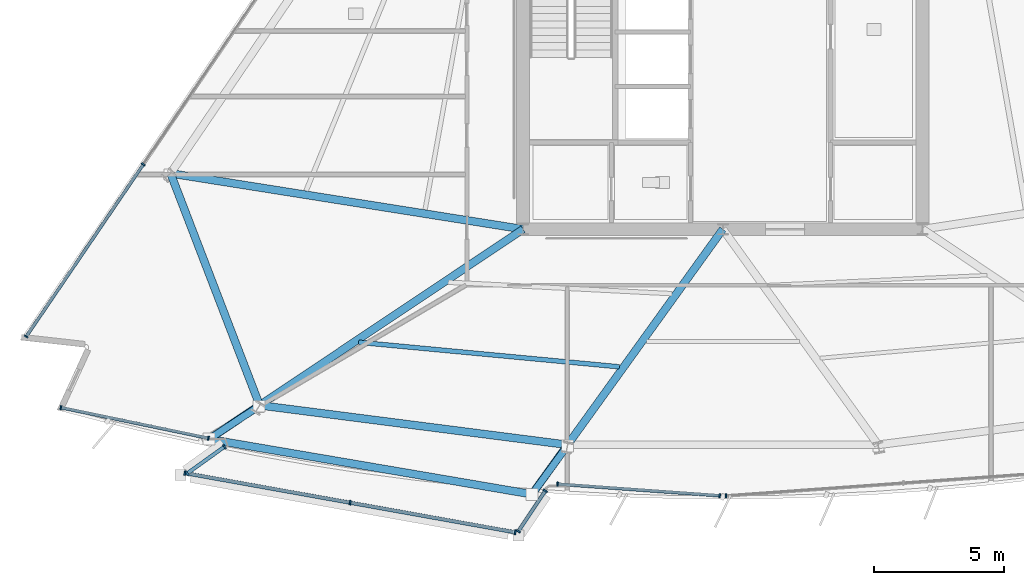
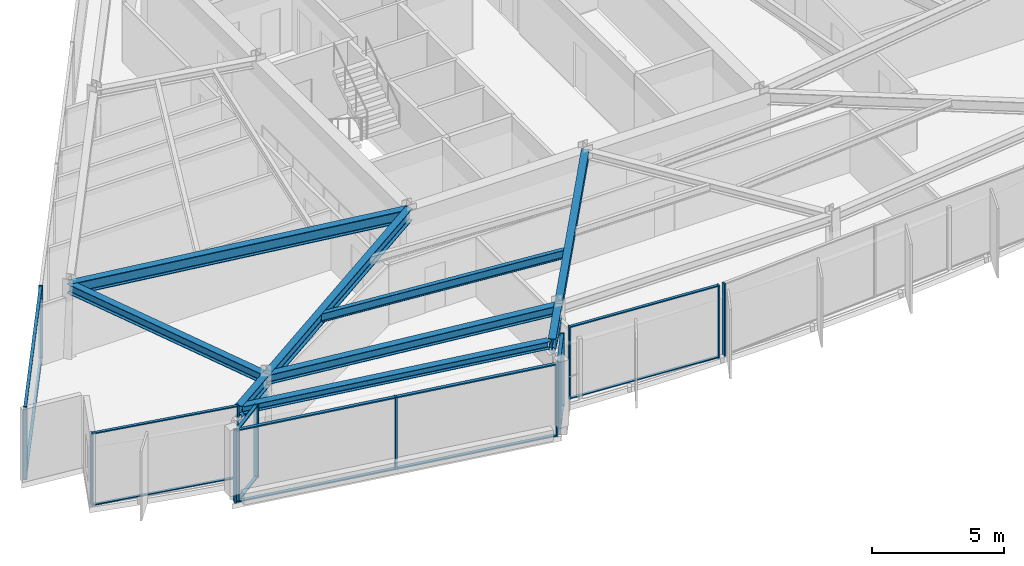
# One storey, part 2 of 16: 30 members, 9 beams, 7 elements without a shape of their own.
"""IFC4 building model written with IfcOpenShell, lengths in metres."""

from ifc_helpers import new_model, si_unit, direction, frame, origin, origin_2d, place, context, subcontext, project, spatial, rectangle, hollow_circle, i_section, extrude, material, material_profile, profile_set, type_object, element, aggregate, save


model = new_model("IFC4")

# Units and contexts
model_context = context("Model", 3, precision=1e-05, world=origin(), true_north=direction((0.0, 1.0)))
body_context = subcontext(model_context, "Body", "Model", "MODEL_VIEW")
ifc_project = project(units=[si_unit("LENGTHUNIT", "METRE"), si_unit("AREAUNIT", "SQUARE_METRE"), si_unit("VOLUMEUNIT", "CUBIC_METRE"), si_unit("PLANEANGLEUNIT", "RADIAN"), si_unit("MASSUNIT", "GRAM", prefix="KILO")], contexts=[model_context])

# Site, building, storey
site_placement = place(None, origin())
site = spatial("IfcSite", under=ifc_project, at=site_placement, CompositionType="ELEMENT")
building_placement = place(site_placement, origin())
building = spatial("IfcBuilding", under=site, at=building_placement, Name="Savorim Split Tower", CompositionType="ELEMENT")
storey_placement = place(building_placement, frame((0.0, 0.0, 149.39990234375)))
storey = spatial("IfcBuildingStorey", under=building, at=storey_placement, Name="L39", CompositionType="ELEMENT", Elevation=149.39990234375)

# Beams
ifc_material_1 = material(Name="Steel S355", Category="steel")
ifc_material_profile_1 = material_profile(ifc_material_1, i_section(OverallWidth=0.179931640625, OverallDepth=0.39990234375, WebThickness=0.008544921875, FlangeThickness=0.013427734375, FilletRadius=0.02099609375, at=origin_2d()), Name="IPE 400")
ifc_profile_set_1 = profile_set([ifc_material_profile_1], Name="Steel S355")
beam_type_1 = type_object("IfcBeamType", Name="BM-JST-IPE400", PredefinedType="JOIST", material=ifc_profile_set_1)
beam_1_placement = place(storey_placement, frame((-14.042236328125, -13.7587890625, 3.150146484375), z_axis=(0.995602850219, -0.093674781215, 0.0), x_axis=(0.093674781215, 0.995602850219, 0.0)))
element("IfcBeam", 1, at=beam_1_placement, inside=storey, type_object=beam_type_1, Name="L39 Secondary Floor Joist JS-01", PredefinedType="JOIST", context=body_context, shape_type="SweptSolid", body=[
    extrude(i_section(OverallWidth=0.179931640625, OverallDepth=0.39990234375, WebThickness=0.008544921875, FlangeThickness=0.013427734375, FilletRadius=0.02099609375, at=origin_2d()), origin(), (0.0, 0.0, 1.0), 10.0966796875),
])
ifc_material_profile_2 = material_profile(ifc_material_1, i_section(OverallWidth=0.300048828125, OverallDepth=0.360107421875, WebThickness=0.012451171875, FlangeThickness=0.0224609375, FilletRadius=0.027099609375, at=origin_2d()), Name="HEB 360")
ifc_profile_set_2 = profile_set([ifc_material_profile_2], Name="Steel S355")
beam_type_2 = type_object("IfcBeamType", Name="BM-PRI-HEB360", PredefinedType="BEAM", material=ifc_profile_set_2)
beam_2_placement = place(storey_placement, frame((-5.9853515625, -17.711669921875, 3.170166015625), z_axis=(0.584361237393, 0.811493650149, 0.0), x_axis=(-0.811493650149, 0.584361237393, 0.0)))
element("IfcBeam", 2, at=beam_2_placement, inside=storey, type_object=beam_type_2, Name="L39 Primary Floor Girder RG-02", PredefinedType="BEAM", context=body_context, shape_type="SweptSolid", body=[
    extrude(i_section(OverallWidth=0.300048828125, OverallDepth=0.360107421875, WebThickness=0.012451171875, FlangeThickness=0.0224609375, FilletRadius=0.027099609375, at=origin_2d()), origin(), (0.0, 0.0, 1.0), 10.24267578125),
])
ifc_material_profile_3 = material_profile(ifc_material_1, i_section(OverallWidth=0.300048828125, OverallDepth=0.550048828125, WebThickness=0.014892578125, FlangeThickness=0.029052734375, FilletRadius=0.027099609375, at=origin_2d()), Name="HEB 550")
ifc_profile_set_3 = profile_set([ifc_material_profile_3], Name="Steel S355")
beam_type_3 = type_object("IfcBeamType", Name="BM-PRI-HEB550", PredefinedType="BEAM", material=ifc_profile_set_3)
beam_3_placement = place(storey_placement, frame((-17.858642578125, -16.187255859375, 3.0751953125), z_axis=(0.831487271704, 0.555543802948, 0.0), x_axis=(-0.555543802948, 0.831487271704, 0.0)))
element("IfcBeam", 3, at=beam_3_placement, inside=storey, type_object=beam_type_3, Name="L39 Primary Floor Girder RG-01", PredefinedType="BEAM", context=body_context, shape_type="SweptSolid", body=[
    extrude(i_section(OverallWidth=0.300048828125, OverallDepth=0.550048828125, WebThickness=0.014892578125, FlangeThickness=0.029052734375, FilletRadius=0.027099609375, at=origin_2d()), origin(), (0.0, 0.0, 1.0), 12.217529296875),
])
beam_4_placement = place(storey_placement, frame((-21.293701171875, -7.246826171875, 3.0751953125), z_axis=(0.987687917519, -0.156437136218, 0.0), x_axis=(0.156437136218, 0.987687917519, 0.0)))
element("IfcBeam", 4, at=beam_4_placement, inside=storey, type_object=beam_type_3, Name="L39 Primary Floor Girder RG-10", PredefinedType="BEAM", context=body_context, shape_type="SweptSolid", body=[
    extrude(i_section(OverallWidth=0.300048828125, OverallDepth=0.550048828125, WebThickness=0.014892578125, FlangeThickness=0.029052734375, FilletRadius=0.027099609375, at=origin_2d()), origin(), (0.0, 0.0, 1.0), 13.76318359375),
])
for number, where, z_axis, x_axis, name in (
    (5, (-17.858642578125, -16.187255859375, 3.0751953125), (-0.831474498247, -0.555562920618, 0.0), (0.555562920618, -0.831474498247, 0.0), "L39 Cantilevered Lounge Rib 1"),
    (6, (-5.9853515625, -17.711669921875, 3.0751953125), (-0.584378617452, -0.811481134386, 0.0), (0.811481134386, -0.584378617452, 0.0), "L39 Cantilevered Lounge Rib 2"),
):
    element("IfcBeam", number, at=place(storey_placement, frame(where, z_axis=z_axis, x_axis=x_axis)), inside=storey, type_object=beam_type_3, Name=name, PredefinedType="BEAM", context=body_context, shape_type="SweptSolid", body=[
        extrude(i_section(OverallWidth=0.300048828125, OverallDepth=0.550048828125, WebThickness=0.014892578125, FlangeThickness=0.029052734375, FilletRadius=0.027099609375, at=origin_2d()), origin(), (0.0, 0.0, 1.0), 2.35009765625),
    ])
ifc_material_profile_4 = material_profile(ifc_material_1, i_section(OverallWidth=0.300048828125, OverallDepth=0.35009765625, WebThickness=0.010009765625, FlangeThickness=0.017578125, FilletRadius=0.027099609375, at=origin_2d()), Name="HEA 360")
ifc_profile_set_4 = profile_set([ifc_material_profile_4], Name="Steel S355")
beam_type_4 = type_object("IfcBeamType", Name="BM-SPN-HEA360", PredefinedType="SPANDREL", material=ifc_profile_set_4)
beam_5_placement = place(storey_placement, frame((-19.655029296875, -17.519775390625, 3.175048828125), z_axis=(0.985742280994, -0.168262162888, 0.0), x_axis=(0.168262162888, 0.985742280994, 0.0)))
element("IfcBeam", 7, at=beam_5_placement, inside=storey, type_object=beam_type_4, Name="L39 Cantilevered Lounge Front Edge Beam", PredefinedType="SPANDREL", context=body_context, shape_type="SweptSolid", body=[
    extrude(i_section(OverallWidth=0.300048828125, OverallDepth=0.35009765625, WebThickness=0.010009765625, FlangeThickness=0.017578125, FilletRadius=0.027099609375, at=origin_2d()), origin(), (0.0, 0.0, 1.0), 12.314208984375),
])
ifc_material_profile_5 = material_profile(ifc_material_1, i_section(OverallWidth=0.300048828125, OverallDepth=0.43994140625, WebThickness=0.011474609375, FlangeThickness=0.02099609375, FilletRadius=0.027099609375, at=origin_2d()), Name="HEA 450")
ifc_profile_set_5 = profile_set([ifc_material_profile_5], Name="Steel S355")
beam_type_5 = type_object("IfcBeamType", Name="BM-SPN-HEA450", PredefinedType="SPANDREL", material=ifc_profile_set_5)
beam_6_placement = place(storey_placement, frame((-17.858642578125, -16.187255859375, 3.130126953125), z_axis=(0.991858496366, -0.127344898553, 0.0), x_axis=(0.127344898553, 0.991858496366, 0.0)))
element("IfcBeam", 8, at=beam_6_placement, inside=storey, type_object=beam_type_5, Name="L39 Perimeter Spandrel Beam 1", PredefinedType="SPANDREL", context=body_context, shape_type="SweptSolid", body=[
    extrude(i_section(OverallWidth=0.300048828125, OverallDepth=0.43994140625, WebThickness=0.011474609375, FlangeThickness=0.02099609375, FilletRadius=0.027099609375, at=origin_2d()), origin(), (0.0, 0.0, 1.0), 11.970703125),
])
beam_7_placement = place(storey_placement, frame((-21.293701171875, -7.246826171875, 3.130126953125), z_axis=(0.358654510738, -0.933470375495, 0.0), x_axis=(0.933470375495, 0.358654510738, 0.0)))
element("IfcBeam", 9, at=beam_7_placement, inside=storey, type_object=beam_type_5, Name="L39 Perimeter Spandrel Beam 10", PredefinedType="SPANDREL", context=body_context, shape_type="SweptSolid", body=[
    extrude(i_section(OverallWidth=0.300048828125, OverallDepth=0.43994140625, WebThickness=0.011474609375, FlangeThickness=0.02099609375, FilletRadius=0.027099609375, at=origin_2d()), origin(), (0.0, 0.0, 1.0), 9.57763671875),
])

# Curtain wall, members
ifc_material_2 = material(Name="Dark Ceramic-Fritted Insulated Glass", Category="glass")
curtain_wall_type_1 = type_object("IfcCurtainWallType", Name="CW-TWR-FRIT-B", PredefinedType="NOTDEFINED", material=ifc_material_2)
curtain_wall_1_placement = place(storey_placement, origin())
curtain_wall_1 = element("IfcCurtainWall", 10, at=curtain_wall_1_placement, inside=storey, type_object=curtain_wall_type_1, Name="L39 Curtain Wall CW-L39-SF1A", PredefinedType="NOTDEFINED")
ifc_material_3 = material(Name="Charcoal Anodised Aluminium", Category="aluminium")
ifc_material_profile_6 = material_profile(ifc_material_3, rectangle(XDim=0.159912109375, YDim=0.06005859375, at=origin_2d()), Name="ALU-M 160x60")
ifc_profile_set_6 = profile_set([ifc_material_profile_6], Name="Charcoal Anodised Aluminium")
member_type_1 = type_object("IfcMemberType", Name="CWM-160x60", PredefinedType="MULLION", material=ifc_profile_set_6)
member_1_placement = place(storey_placement, frame((-25.52197265625, -16.275390625, 0.0), z_axis=(0.0, 0.0, 1.0), x_axis=(0.203213991452, 0.979134349146, 0.0)))
member_1 = element("IfcMember", 11, at=member_1_placement, type_object=member_type_1, Name="CW-03 mullion 1", PredefinedType="MULLION", context=body_context, shape_type="SweptSolid", body=[
    extrude(rectangle(XDim=0.159912109375, YDim=0.06005859375, at=origin_2d()), origin(), (0.0, 0.0, 1.0), 3.35009765625),
])
member_2_placement = place(storey_placement, frame((-19.83349609375, -17.455810546875, 0.0), z_axis=(0.0, 0.0, 1.0), x_axis=(0.203213991452, 0.979134349146, 0.0)))
member_2 = element("IfcMember", 12, at=member_2_placement, type_object=member_type_1, Name="CW-03 mullion 2", PredefinedType="MULLION", context=body_context, shape_type="SweptSolid", body=[
    extrude(rectangle(XDim=0.159912109375, YDim=0.06005859375, at=origin_2d()), origin(), (0.0, 0.0, 1.0), 3.35009765625),
])

curtain_wall_2_placement = place(storey_placement, origin())
curtain_wall_2 = element("IfcCurtainWall", 13, at=curtain_wall_2_placement, inside=storey, type_object=curtain_wall_type_1, Name="L39 Curtain Wall CW-L39-SF2A", PredefinedType="NOTDEFINED")
member_3_placement = place(storey_placement, frame((-6.369873046875, -19.224365234375, 0.0), z_axis=(0.0, 0.0, 1.0), x_axis=(0.071576267442, 0.99743512969, 0.0)))
member_3 = element("IfcMember", 14, at=member_3_placement, type_object=member_type_1, Name="CW-03 mullion 1", PredefinedType="MULLION", context=body_context, shape_type="SweptSolid", body=[
    extrude(rectangle(XDim=0.159912109375, YDim=0.06005859375, at=origin_2d()), origin(), (0.0, 0.0, 1.0), 3.35009765625),
])
member_4_placement = place(storey_placement, frame((-0.12109375, -19.672607421875, 0.0), z_axis=(0.0, 0.0, 1.0), x_axis=(0.071576267442, 0.99743512969, 0.0)))
member_4 = element("IfcMember", 15, at=member_4_placement, type_object=member_type_1, Name="CW-03 mullion 2", PredefinedType="MULLION", context=body_context, shape_type="SweptSolid", body=[
    extrude(rectangle(XDim=0.159912109375, YDim=0.06005859375, at=origin_2d()), origin(), (0.0, 0.0, 1.0), 3.35009765625),
])

# Curtain wall, member
curtain_wall_3_placement = place(storey_placement, origin())
curtain_wall_3 = element("IfcCurtainWall", 16, at=curtain_wall_3_placement, inside=storey, type_object=curtain_wall_type_1, Name="L39 Curtain Wall CW-L39-SF3A", PredefinedType="NOTDEFINED")
member_5_placement = place(storey_placement, frame((0.12109375, -19.672607421875, 0.0), z_axis=(0.0, 0.0, 1.0), x_axis=(-0.071562741149, 0.997436100249, 0.0)))
member_5 = element("IfcMember", 17, at=member_5_placement, type_object=member_type_1, Name="CW-03 mullion 1", PredefinedType="MULLION", context=body_context, shape_type="SweptSolid", body=[
    extrude(rectangle(XDim=0.159912109375, YDim=0.06005859375, at=origin_2d()), origin(), (0.0, 0.0, 1.0), 3.35009765625),
])
aggregate(curtain_wall_3, [member_5])

# Curtain wall, members
curtain_wall_4_placement = place(storey_placement, origin())
curtain_wall_4 = element("IfcCurtainWall", 18, at=curtain_wall_4_placement, inside=storey, type_object=curtain_wall_type_1, Name="L39 Curtain Wall CW-L39-WEST", PredefinedType="NOTDEFINED")
member_6_placement = place(storey_placement, frame((-22.343505859375, -6.900634765625, 0.0), z_axis=(0.0, 0.0, 1.0), x_axis=(0.826820104662, -0.562466456356, 0.0)))
member_6 = element("IfcMember", 19, at=member_6_placement, type_object=member_type_1, Name="CW-03 mullion 4", PredefinedType="MULLION", context=body_context, shape_type="SweptSolid", body=[
    extrude(rectangle(XDim=0.159912109375, YDim=0.06005859375, at=origin_2d()), origin(), (0.0, 0.0, 1.0), 3.35009765625),
])
member_7_placement = place(storey_placement, frame((-26.857666015625, -13.536376953125, 0.0), z_axis=(0.0, 0.0, 1.0), x_axis=(0.826820104662, -0.562466456356, 0.0)))
member_7 = element("IfcMember", 20, at=member_7_placement, type_object=member_type_1, Name="CW-03 mullion 5", PredefinedType="MULLION", context=body_context, shape_type="SweptSolid", body=[
    extrude(rectangle(XDim=0.159912109375, YDim=0.06005859375, at=origin_2d()), origin(), (0.0, 0.0, 1.0), 3.35009765625),
])

curtain_wall_type_2 = type_object("IfcCurtainWallType", Name="CW-BAY-LOUNGE", PredefinedType="NOTDEFINED", material=ifc_material_2)
curtain_wall_5_placement = place(storey_placement, origin())
curtain_wall_5 = element("IfcCurtainWall", 21, at=curtain_wall_5_placement, inside=storey, type_object=curtain_wall_type_2, Name="L39 Curtain Wall CW-L39-BAYF", PredefinedType="NOTDEFINED")
ifc_material_profile_7 = material_profile(ifc_material_3, rectangle(XDim=0.179931640625, YDim=0.06494140625, at=origin_2d()), Name="ALU-M 180x65")
ifc_profile_set_7 = profile_set([ifc_material_profile_7], Name="Charcoal Anodised Aluminium")
member_type_2 = type_object("IfcMemberType", Name="CWM-180x65", PredefinedType="MULLION", material=ifc_profile_set_7)
member_8_placement = place(storey_placement, frame((-20.736572265625, -18.801025390625, 0.0), z_axis=(0.0, 0.0, 1.0), x_axis=(0.17647620957, 0.984304905736, 0.0)))
member_8 = element("IfcMember", 22, at=member_8_placement, type_object=member_type_2, Name="CW-04 mullion 1", PredefinedType="MULLION", context=body_context, shape_type="SweptSolid", body=[
    extrude(rectangle(XDim=0.179931640625, YDim=0.06494140625, at=origin_2d()), origin(), (0.0, 0.0, 1.0), 3.35009765625),
])
member_9_placement = place(storey_placement, frame((-14.37109375, -19.9423828125, 0.0), z_axis=(0.0, 0.0, 1.0), x_axis=(0.17647620957, 0.984304905736, 0.0)))
member_9 = element("IfcMember", 23, at=member_9_placement, type_object=member_type_2, Name="CW-04 mullion 2", PredefinedType="MULLION", context=body_context, shape_type="SweptSolid", body=[
    extrude(rectangle(XDim=0.179931640625, YDim=0.06494140625, at=origin_2d()), origin(), (0.0, 0.0, 1.0), 3.35009765625),
])
member_10_placement = place(storey_placement, frame((-8.005615234375, -21.08349609375, 0.0), z_axis=(0.0, 0.0, 1.0), x_axis=(0.17647620957, 0.984304905736, 0.0)))
member_10 = element("IfcMember", 24, at=member_10_placement, type_object=member_type_2, Name="CW-04 mullion 3", PredefinedType="MULLION", context=body_context, shape_type="SweptSolid", body=[
    extrude(rectangle(XDim=0.179931640625, YDim=0.06494140625, at=origin_2d()), origin(), (0.0, 0.0, 1.0), 3.35009765625),
])

curtain_wall_6_placement = place(storey_placement, origin())
curtain_wall_6 = element("IfcCurtainWall", 25, at=curtain_wall_6_placement, inside=storey, type_object=curtain_wall_type_2, Name="L39 Curtain Wall CW-L39-BAYW", PredefinedType="NOTDEFINED")
member_11_placement = place(storey_placement, frame((-19.21484375, -17.78369140625, 0.0), z_axis=(0.0, 0.0, 1.0), x_axis=(0.582871114578, -0.812564621302, 0.0)))
member_11 = element("IfcMember", 26, at=member_11_placement, type_object=member_type_2, Name="CW-04 mullion 1", PredefinedType="MULLION", context=body_context, shape_type="SweptSolid", body=[
    extrude(rectangle(XDim=0.179931640625, YDim=0.06494140625, at=origin_2d()), origin(), (0.0, 0.0, 1.0), 3.35009765625),
])
member_12_placement = place(storey_placement, frame((-20.653076171875, -18.8154296875, 0.0), z_axis=(0.0, 0.0, 1.0), x_axis=(0.582871114578, -0.812564621302, 0.0)))
member_12 = element("IfcMember", 27, at=member_12_placement, type_object=member_type_2, Name="CW-04 mullion 2", PredefinedType="MULLION", context=body_context, shape_type="SweptSolid", body=[
    extrude(rectangle(XDim=0.179931640625, YDim=0.06494140625, at=origin_2d()), origin(), (0.0, 0.0, 1.0), 3.35009765625),
])

curtain_wall_7_placement = place(storey_placement, origin())
curtain_wall_7 = element("IfcCurtainWall", 28, at=curtain_wall_7_placement, inside=storey, type_object=curtain_wall_type_2, Name="L39 Curtain Wall CW-L39-BAYE", PredefinedType="NOTDEFINED")
member_13_placement = place(storey_placement, frame((-7.8828125, -21.043212890625, 0.0), z_axis=(0.0, 0.0, 1.0), x_axis=(-0.832042363731, 0.554712091952, 0.0)))
member_13 = element("IfcMember", 29, at=member_13_placement, type_object=member_type_2, Name="CW-04 mullion 1", PredefinedType="MULLION", context=body_context, shape_type="SweptSolid", body=[
    extrude(rectangle(XDim=0.179931640625, YDim=0.06494140625, at=origin_2d()), origin(), (0.0, 0.0, 1.0), 3.35009765625),
])
member_14_placement = place(storey_placement, frame((-6.8427734375, -19.483154296875, 0.0), z_axis=(0.0, 0.0, 1.0), x_axis=(-0.832042363731, 0.554712091952, 0.0)))
member_14 = element("IfcMember", 30, at=member_14_placement, type_object=member_type_2, Name="CW-04 mullion 2", PredefinedType="MULLION", context=body_context, shape_type="SweptSolid", body=[
    extrude(rectangle(XDim=0.179931640625, YDim=0.06494140625, at=origin_2d()), origin(), (0.0, 0.0, 1.0), 3.35009765625),
])

# Member
ifc_material_profile_8 = material_profile(ifc_material_3, rectangle(XDim=0.1201171875, YDim=0.050048828125, at=origin_2d()), Name="ALU-T 120x50")
ifc_profile_set_8 = profile_set([ifc_material_profile_8], Name="Charcoal Anodised Aluminium")
member_type_3 = type_object("IfcMemberType", Name="CWT-120x50", PredefinedType="USERDEFINED", material=ifc_profile_set_8)
member_15_placement = place(storey_placement, frame((-25.492431640625, -16.281494140625, 0.025146484375), z_axis=(0.979140851153, -0.203182660686, 0.0), x_axis=(0.203182660686, 0.979140851153, 0.0)))
member_15 = element("IfcMember", 31, at=member_15_placement, type_object=member_type_3, Name="CW-03 transom 1.1", ObjectType="TRANSOM", PredefinedType="USERDEFINED", context=body_context, shape_type="SweptSolid", body=[
    extrude(rectangle(XDim=0.1201171875, YDim=0.050048828125, at=origin_2d()), origin(), (0.0, 0.0, 1.0), 5.74951171875),
])

member_16_placement = place(storey_placement, frame((-25.492431640625, -16.281494140625, 3.3251953125), z_axis=(0.979140851153, -0.203182660686, 0.0), x_axis=(0.203182660686, 0.979140851153, 0.0)))
member_16 = element("IfcMember", 32, at=member_16_placement, type_object=member_type_3, Name="CW-03 transom 1.2", ObjectType="TRANSOM", PredefinedType="USERDEFINED", context=body_context, shape_type="SweptSolid", body=[
    extrude(rectangle(XDim=0.1201171875, YDim=0.050048828125, at=origin_2d()), origin(), (0.0, 0.0, 1.0), 5.74951171875),
])

aggregate(curtain_wall_1, [member_1, member_2, member_15, member_16])

member_17_placement = place(storey_placement, frame((-6.33984375, -19.226318359375, 0.025146484375), z_axis=(0.997435276992, -0.071574214716, 0.0), x_axis=(0.071574214716, 0.997435276992, 0.0)))
member_17 = element("IfcMember", 33, at=member_17_placement, type_object=member_type_3, Name="CW-03 transom 1.1", ObjectType="TRANSOM", PredefinedType="USERDEFINED", context=body_context, shape_type="SweptSolid", body=[
    extrude(rectangle(XDim=0.1201171875, YDim=0.050048828125, at=origin_2d()), origin(), (0.0, 0.0, 1.0), 6.20458984375),
])

member_18_placement = place(storey_placement, frame((-6.33984375, -19.226318359375, 3.3251953125), z_axis=(0.997435276992, -0.071574214716, 0.0), x_axis=(0.071574214716, 0.997435276992, 0.0)))
member_18 = element("IfcMember", 34, at=member_18_placement, type_object=member_type_3, Name="CW-03 transom 1.2", ObjectType="TRANSOM", PredefinedType="USERDEFINED", context=body_context, shape_type="SweptSolid", body=[
    extrude(rectangle(XDim=0.1201171875, YDim=0.050048828125, at=origin_2d()), origin(), (0.0, 0.0, 1.0), 6.20458984375),
])

aggregate(curtain_wall_2, [member_3, member_4, member_17, member_18])

member_19_placement = place(storey_placement, frame((-22.3603515625, -6.925537109375, 0.025146484375), z_axis=(-0.562484383904, -0.826807908685, 0.0), x_axis=(0.826807908685, -0.562484383904, 0.0)))
member_19 = element("IfcMember", 35, at=member_19_placement, type_object=member_type_3, Name="CW-03 transom 4.1", ObjectType="TRANSOM", PredefinedType="USERDEFINED", context=body_context, shape_type="SweptSolid", body=[
    extrude(rectangle(XDim=0.1201171875, YDim=0.050048828125, at=origin_2d()), origin(), (0.0, 0.0, 1.0), 7.965576171875),
])

member_20_placement = place(storey_placement, frame((-22.3603515625, -6.925537109375, 3.3251953125), z_axis=(-0.562484383904, -0.826807908685, 0.0), x_axis=(0.826807908685, -0.562484383904, 0.0)))
member_20 = element("IfcMember", 36, at=member_20_placement, type_object=member_type_3, Name="CW-03 transom 4.2", ObjectType="TRANSOM", PredefinedType="USERDEFINED", context=body_context, shape_type="SweptSolid", body=[
    extrude(rectangle(XDim=0.1201171875, YDim=0.050048828125, at=origin_2d()), origin(), (0.0, 0.0, 1.0), 7.965576171875),
])

aggregate(curtain_wall_4, [member_6, member_7, member_19, member_20])

ifc_material_profile_9 = material_profile(ifc_material_3, rectangle(XDim=0.139892578125, YDim=0.054931640625, at=origin_2d()), Name="ALU-T 140x55")
ifc_profile_set_9 = profile_set([ifc_material_profile_9], Name="Charcoal Anodised Aluminium")
member_type_4 = type_object("IfcMemberType", Name="CWT-140x55", PredefinedType="USERDEFINED", material=ifc_profile_set_9)
member_21_placement = place(storey_placement, frame((-20.70458984375, -18.806884765625, 0.027587890625), z_axis=(0.984309270803, -0.176451861455, 0.0), x_axis=(0.176451861455, 0.984309270803, 0.0)))
member_21 = element("IfcMember", 37, at=member_21_placement, type_object=member_type_4, Name="CW-04 transom 1.1", ObjectType="TRANSOM", PredefinedType="USERDEFINED", context=body_context, shape_type="SweptSolid", body=[
    extrude(rectangle(XDim=0.139892578125, YDim=0.054931640625, at=origin_2d()), origin(), (0.0, 0.0, 1.0), 6.40185546875),
])

member_22_placement = place(storey_placement, frame((-20.70458984375, -18.806884765625, 3.322509765625), z_axis=(0.984309270803, -0.176451861455, 0.0), x_axis=(0.176451861455, 0.984309270803, 0.0)))
member_22 = element("IfcMember", 38, at=member_22_placement, type_object=member_type_4, Name="CW-04 transom 1.2", ObjectType="TRANSOM", PredefinedType="USERDEFINED", context=body_context, shape_type="SweptSolid", body=[
    extrude(rectangle(XDim=0.139892578125, YDim=0.054931640625, at=origin_2d()), origin(), (0.0, 0.0, 1.0), 6.40185546875),
])

member_23_placement = place(storey_placement, frame((-14.339111328125, -19.947998046875, 0.027587890625), z_axis=(0.9843026467, -0.176488808993, 0.0), x_axis=(0.176488808993, 0.9843026467, 0.0)))
member_23 = element("IfcMember", 39, at=member_23_placement, type_object=member_type_4, Name="CW-04 transom 2.1", ObjectType="TRANSOM", PredefinedType="USERDEFINED", context=body_context, shape_type="SweptSolid", body=[
    extrude(rectangle(XDim=0.139892578125, YDim=0.054931640625, at=origin_2d()), origin(), (0.0, 0.0, 1.0), 6.402099609375),
])

member_24_placement = place(storey_placement, frame((-14.339111328125, -19.947998046875, 3.322509765625), z_axis=(0.9843026467, -0.176488808993, 0.0), x_axis=(0.176488808993, 0.9843026467, 0.0)))
member_24 = element("IfcMember", 40, at=member_24_placement, type_object=member_type_4, Name="CW-04 transom 2.2", ObjectType="TRANSOM", PredefinedType="USERDEFINED", context=body_context, shape_type="SweptSolid", body=[
    extrude(rectangle(XDim=0.139892578125, YDim=0.054931640625, at=origin_2d()), origin(), (0.0, 0.0, 1.0), 6.402099609375),
])

aggregate(curtain_wall_5, [member_8, member_9, member_10, member_21, member_22, member_23, member_24])

member_25_placement = place(storey_placement, frame((-19.2412109375, -17.802734375, 0.027587890625), z_axis=(-0.812551518663, -0.582889380172, 0.0), x_axis=(0.582889380172, -0.812551518663, 0.0)))
member_25 = element("IfcMember", 41, at=member_25_placement, type_object=member_type_4, Name="CW-04 transom 1.1", ObjectType="TRANSOM", PredefinedType="USERDEFINED", context=body_context, shape_type="SweptSolid", body=[
    extrude(rectangle(XDim=0.139892578125, YDim=0.054931640625, at=origin_2d()), origin(), (0.0, 0.0, 1.0), 1.705078125),
])

member_26_placement = place(storey_placement, frame((-19.2412109375, -17.802734375, 3.322509765625), z_axis=(-0.812551518663, -0.582889380172, 0.0), x_axis=(0.582889380172, -0.812551518663, 0.0)))
member_26 = element("IfcMember", 42, at=member_26_placement, type_object=member_type_4, Name="CW-04 transom 1.2", ObjectType="TRANSOM", PredefinedType="USERDEFINED", context=body_context, shape_type="SweptSolid", body=[
    extrude(rectangle(XDim=0.139892578125, YDim=0.054931640625, at=origin_2d()), origin(), (0.0, 0.0, 1.0), 1.705078125),
])

aggregate(curtain_wall_6, [member_11, member_12, member_25, member_26])

member_27_placement = place(storey_placement, frame((-7.86474609375, -21.01611328125, 0.027587890625), z_axis=(0.554700196225, 0.832050294338, 0.0), x_axis=(-0.832050294338, 0.554700196225, 0.0)))
member_27 = element("IfcMember", 43, at=member_27_placement, type_object=member_type_4, Name="CW-04 transom 1.1", ObjectType="TRANSOM", PredefinedType="USERDEFINED", context=body_context, shape_type="SweptSolid", body=[
    extrude(rectangle(XDim=0.139892578125, YDim=0.054931640625, at=origin_2d()), origin(), (0.0, 0.0, 1.0), 1.809814453125),
])

member_28_placement = place(storey_placement, frame((-7.86474609375, -21.01611328125, 3.322509765625), z_axis=(0.554700196225, 0.832050294338, 0.0), x_axis=(-0.832050294338, 0.554700196225, 0.0)))
member_28 = element("IfcMember", 44, at=member_28_placement, type_object=member_type_4, Name="CW-04 transom 1.2", ObjectType="TRANSOM", PredefinedType="USERDEFINED", context=body_context, shape_type="SweptSolid", body=[
    extrude(rectangle(XDim=0.139892578125, YDim=0.054931640625, at=origin_2d()), origin(), (0.0, 0.0, 1.0), 1.809814453125),
])

aggregate(curtain_wall_7, [member_13, member_14, member_27, member_28])

# Members
ifc_material_profile_10 = material_profile(ifc_material_1, hollow_circle(Radius=0.136474609375, WallThickness=0.01611328125, at=origin_2d()), Name="CHS 273x16")
ifc_profile_set_10 = profile_set([ifc_material_profile_10], Name="Steel S355")
member_type_5 = type_object("IfcMemberType", Name="MBR-CRN-CHS273", PredefinedType="BRACE", material=ifc_profile_set_10)
member_29_placement = place(storey_placement, frame((-17.88232421875, -16.2255859375, 2.4501953125), z_axis=(-0.825428506604, -0.541899503956, 0.158154064437), x_axis=(0.548806537229, -0.835949391228, 0.0)))
element("IfcMember", 45, at=member_29_placement, inside=storey, type_object=member_type_5, Name="L39 Cantilevered Bay Support Strut 1", PredefinedType="BRACE", context=body_context, shape_type="SweptSolid", body=[
    extrude(hollow_circle(Radius=0.136474609375, WallThickness=0.01611328125, at=origin_2d()), origin(), (0.0, 0.0, 1.0), 2.338623046875),
])
member_30_placement = place(storey_placement, frame((-5.993408203125, -17.752197265625, 2.4501953125), z_axis=(-0.582969189292, -0.796995610182, 0.157939614052), x_axis=(0.807126032638, -0.590379172598, 0.0)))
element("IfcMember", 46, at=member_30_placement, inside=storey, type_object=member_type_5, Name="L39 Cantilevered Bay Support Strut 2", PredefinedType="BRACE", context=body_context, shape_type="SweptSolid", body=[
    extrude(hollow_circle(Radius=0.136474609375, WallThickness=0.01611328125, at=origin_2d()), origin(), (0.0, 0.0, 1.0), 2.341796875),
])

save(model, "model.ifc")
